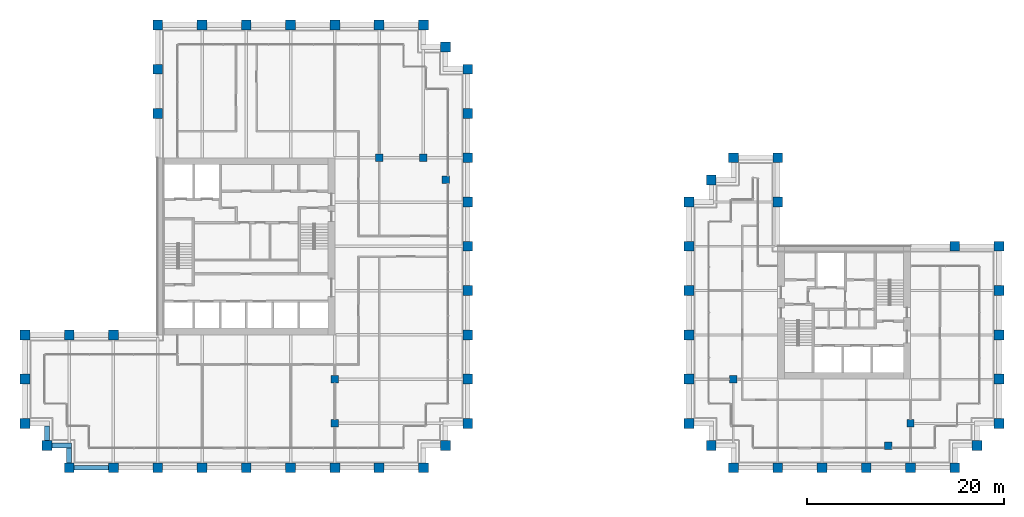
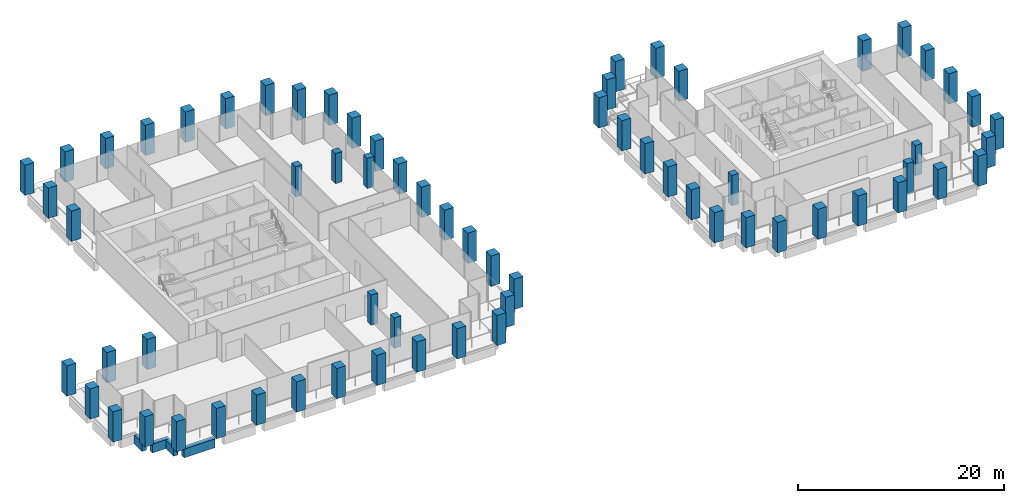
# One storey, part 1 of 45: 67 columns, 4 beams.
"""IFC4 building model written with IfcOpenShell, lengths in metres."""

from ifc_helpers import new_model, si_unit, direction, frame, origin, origin_2d, place, context, subcontext, project, spatial, rectangle, extrude, material, material_profile, profile_set, type_object, element, save


model = new_model("IFC4")

# Units and contexts
model_context = context("Model", 3, precision=1e-05, world=origin(), true_north=direction((0.0, 1.0)))
body_context = subcontext(model_context, "Body", "Model", "MODEL_VIEW")
ifc_project = project(units=[si_unit("LENGTHUNIT", "METRE"), si_unit("AREAUNIT", "SQUARE_METRE"), si_unit("VOLUMEUNIT", "CUBIC_METRE"), si_unit("PLANEANGLEUNIT", "RADIAN"), si_unit("MASSUNIT", "GRAM", prefix="KILO")], contexts=[model_context])

# Site, building, storey
site_placement = place(None, origin())
site = spatial("IfcSite", under=ifc_project, at=site_placement, CompositionType="ELEMENT")
building_placement = place(site_placement, origin())
building = spatial("IfcBuilding", under=site, at=building_placement, Name="Altepetl Exchange Towers", CompositionType="ELEMENT")
storey_placement = place(building_placement, frame((0.0, 0.0, 110.0)))
storey = spatial("IfcBuildingStorey", under=building, at=storey_placement, Name="L27", CompositionType="ELEMENT", Elevation=110.0)

# Columns
ifc_material_1 = material(Name="Concrete C70/85", Category="concrete")
ifc_material_profile_1 = material_profile(ifc_material_1, rectangle(XDim=0.75, YDim=0.75, at=origin_2d()), Name="750 x 750")
ifc_profile_set_1 = profile_set([ifc_material_profile_1], Name="Concrete C70/85")
column_type_1 = type_object("IfcColumnType", Name="Interior column 750", PredefinedType="COLUMN", material=ifc_profile_set_1)
for number, where, name in (
    (1, (58.5, 31.5, 0.0), "col:A:L27:035"),
    (2, (58.5, 36.0, 0.0), "col:A:L27:036"),
    (3, (63.0, 58.5, 0.0), "col:A:L27:037"),
    (4, (67.5, 58.5, 0.0), "col:A:L27:038"),
    (5, (69.75, 56.25, 0.0), "col:A:L27:039"),
    (6, (99.0, 36.0, 0.0), "col:B:L27:024"),
    (7, (114.75, 29.25, 0.0), "col:B:L27:025"),
    (8, (117.0, 31.5, 0.0), "col:B:L27:026"),
):
    element("IfcColumn", number, at=place(storey_placement, frame(where)), inside=storey, type_object=column_type_1, Name=name, PredefinedType="COLUMN", context=body_context, shape_type="SweptSolid", body=[
        extrude(rectangle(XDim=0.75, YDim=0.75, at=origin_2d()), origin(), (0.0, 0.0, 1.0), 3.60009765625),
    ])
ifc_material_2 = material(Name="Concrete C70/85 precast with cantera amarilla facing", Category="concrete")
ifc_material_profile_2 = material_profile(ifc_material_2, rectangle(XDim=1.0, YDim=1.0, at=origin_2d()), Name="1000 x 1000")
ifc_profile_set_2 = profile_set([ifc_material_profile_2], Name="Concrete C70/85 precast with cantera amarilla facing")
column_type_2 = type_object("IfcColumnType", Name="Perimeter column 1000 cantera amarilla", PredefinedType="COLUMN", material=ifc_profile_set_2)
for number, where, name in (
    (9, (58.5, 27.0, 0.0), "col:A:L27:006"),
    (10, (63.0, 27.0, 0.0), "col:A:L27:007"),
    (11, (67.5, 27.0, 0.0), "col:A:L27:008"),
    (12, (69.75, 29.25, 0.0), "col:A:L27:009"),
    (13, (72.0, 31.5, 0.0), "col:A:L27:010"),
    (14, (72.0, 36.0, 0.0), "col:A:L27:011"),
    (15, (72.0, 40.5, 0.0), "col:A:L27:012"),
    (16, (72.0, 45.0, 0.0), "col:A:L27:013"),
    (17, (72.0, 49.5, 0.0), "col:A:L27:014"),
    (18, (72.0, 54.0, 0.0), "col:A:L27:015"),
    (19, (126.0, 49.5, 0.0), "col:B:L27:011"),
    (20, (121.5, 49.5, 0.0), "col:B:L27:012"),
):
    element("IfcColumn", number, at=place(storey_placement, frame(where)), inside=storey, type_object=column_type_2, Name=name, PredefinedType="COLUMN", context=body_context, shape_type="SweptSolid", body=[
        extrude(rectangle(XDim=1.0, YDim=1.0, at=origin_2d()), origin(), (0.0, 0.0, 1.0), 3.60009765625),
    ])
ifc_material_3 = material(Name="Concrete C70/85 precast with cantera blanca facing", Category="concrete")
ifc_material_profile_3 = material_profile(ifc_material_3, rectangle(XDim=1.0, YDim=1.0, at=origin_2d()), Name="1000 x 1000")
ifc_profile_set_3 = profile_set([ifc_material_profile_3], Name="Concrete C70/85 precast with cantera blanca facing")
column_type_3 = type_object("IfcColumnType", Name="Perimeter column 1000 cantera blanca", PredefinedType="COLUMN", material=ifc_profile_set_3)
for number, where, name in (
    (21, (31.5, 27.0, 0.0), "col:A:L27:000"),
    (22, (36.0, 27.0, 0.0), "col:A:L27:001"),
    (23, (40.5, 27.0, 0.0), "col:A:L27:002"),
    (24, (45.0, 27.0, 0.0), "col:A:L27:003"),
    (25, (49.5, 27.0, 0.0), "col:A:L27:004"),
    (26, (54.0, 27.0, 0.0), "col:A:L27:005"),
    (27, (27.0, 36.0, 0.0), "col:A:L27:032"),
    (28, (27.0, 31.5, 0.0), "col:A:L27:033"),
    (29, (29.25, 29.25, 0.0), "col:A:L27:034"),
    (30, (117.0, 27.0, 0.0), "col:B:L27:004"),
    (31, (121.5, 27.0, 0.0), "col:B:L27:005"),
    (32, (123.75, 29.25, 0.0), "col:B:L27:006"),
    (33, (126.0, 31.5, 0.0), "col:B:L27:007"),
    (34, (126.0, 36.0, 0.0), "col:B:L27:008"),
    (35, (126.0, 40.5, 0.0), "col:B:L27:009"),
    (36, (126.0, 45.0, 0.0), "col:B:L27:010"),
):
    element("IfcColumn", number, at=place(storey_placement, frame(where)), inside=storey, type_object=column_type_3, Name=name, PredefinedType="COLUMN", context=body_context, shape_type="SweptSolid", body=[
        extrude(rectangle(XDim=1.0, YDim=1.0, at=origin_2d()), origin(), (0.0, 0.0, 1.0), 3.60009765625),
    ])
ifc_material_4 = material(Name="Concrete C70/85 precast with cantera rosa facing", Category="concrete")
ifc_material_profile_4 = material_profile(ifc_material_4, rectangle(XDim=1.0, YDim=1.0, at=origin_2d()), Name="1000 x 1000")
ifc_profile_set_4 = profile_set([ifc_material_profile_4], Name="Concrete C70/85 precast with cantera rosa facing")
column_type_4 = type_object("IfcColumnType", Name="Perimeter column 1000 cantera rosa", PredefinedType="COLUMN", material=ifc_profile_set_4)
for number, where, name in (
    (37, (72.0, 58.5, 0.0), "col:A:L27:016"),
    (38, (72.0, 63.0, 0.0), "col:A:L27:017"),
    (39, (72.0, 67.5, 0.0), "col:A:L27:018"),
    (40, (69.75, 69.75, 0.0), "col:A:L27:019"),
    (41, (67.5, 72.0, 0.0), "col:A:L27:020"),
    (42, (63.0, 72.0, 0.0), "col:A:L27:021"),
    (43, (58.5, 72.0, 0.0), "col:A:L27:022"),
    (44, (54.0, 72.0, 0.0), "col:A:L27:023"),
    (45, (49.5, 72.0, 0.0), "col:A:L27:024"),
    (46, (45.0, 72.0, 0.0), "col:A:L27:025"),
    (47, (103.5, 54.0, 0.0), "col:B:L27:013"),
    (48, (103.5, 58.5, 0.0), "col:B:L27:014"),
    (49, (99.0, 58.5, 0.0), "col:B:L27:015"),
    (50, (96.75, 56.25, 0.0), "col:B:L27:016"),
    (51, (94.5, 54.0, 0.0), "col:B:L27:017"),
    (52, (94.5, 49.5, 0.0), "col:B:L27:018"),
    (53, (94.5, 45.0, 0.0), "col:B:L27:019"),
    (54, (94.5, 40.5, 0.0), "col:B:L27:020"),
    (55, (94.5, 36.0, 0.0), "col:B:L27:021"),
):
    element("IfcColumn", number, at=place(storey_placement, frame(where)), inside=storey, type_object=column_type_4, Name=name, PredefinedType="COLUMN", context=body_context, shape_type="SweptSolid", body=[
        extrude(rectangle(XDim=1.0, YDim=1.0, at=origin_2d()), origin(), (0.0, 0.0, 1.0), 3.60009765625),
    ])
ifc_material_5 = material(Name="Concrete C70/85 precast with tezontle facing", Category="concrete")
ifc_material_profile_5 = material_profile(ifc_material_5, rectangle(XDim=1.0, YDim=1.0, at=origin_2d()), Name="1000 x 1000")
ifc_profile_set_5 = profile_set([ifc_material_profile_5], Name="Concrete C70/85 precast with tezontle facing")
column_type_5 = type_object("IfcColumnType", Name="Perimeter column 1000 tezontle", PredefinedType="COLUMN", material=ifc_profile_set_5)
for number, where, name in (
    (56, (40.5, 72.0, 0.0), "col:A:L27:026"),
    (57, (40.5, 67.5, 0.0), "col:A:L27:027"),
    (58, (40.5, 63.0, 0.0), "col:A:L27:028"),
    (59, (36.0, 40.5, 0.0), "col:A:L27:029"),
    (60, (31.5, 40.5, 0.0), "col:A:L27:030"),
    (61, (27.0, 40.5, 0.0), "col:A:L27:031"),
    (62, (99.0, 27.0, 0.0), "col:B:L27:000"),
    (63, (103.5, 27.0, 0.0), "col:B:L27:001"),
    (64, (108.0, 27.0, 0.0), "col:B:L27:002"),
    (65, (112.5, 27.0, 0.0), "col:B:L27:003"),
    (66, (94.5, 31.5, 0.0), "col:B:L27:022"),
    (67, (96.75, 29.25, 0.0), "col:B:L27:023"),
):
    element("IfcColumn", number, at=place(storey_placement, frame(where)), inside=storey, type_object=column_type_5, Name=name, PredefinedType="COLUMN", context=body_context, shape_type="SweptSolid", body=[
        extrude(rectangle(XDim=1.0, YDim=1.0, at=origin_2d()), origin(), (0.0, 0.0, 1.0), 3.60009765625),
    ])

# Beams
ifc_material_6 = material(Name="Concrete C50/60 precast with cantera blanca facing", Category="concrete")
ifc_material_profile_6 = material_profile(ifc_material_6, rectangle(XDim=0.5, YDim=1.050048828125, at=origin_2d()), Name="500 x 1050")
ifc_profile_set_6 = profile_set([ifc_material_profile_6], Name="Concrete C50/60 precast with cantera blanca facing")
beam_type = type_object("IfcBeamType", Name="Spandrel beam 500x1050 cantera blanca", PredefinedType="SPANDREL", material=ifc_profile_set_6)
beam_1_placement = place(storey_placement, frame((32.0, 27.0, -0.675048828125), z_axis=(1.0, 0.0, 0.0), x_axis=(0.0, 1.0, 0.0)))
element("IfcBeam", 68, at=beam_1_placement, inside=storey, type_object=beam_type, Name="sp:A:L27:000", PredefinedType="SPANDREL", context=body_context, shape_type="SweptSolid", body=[
    extrude(rectangle(XDim=0.5, YDim=1.050048828125, at=origin_2d()), origin(), (0.0, 0.0, 1.0), 3.5),
])
beam_2_placement = place(storey_placement, frame((29.25, 31.25, -0.675048828125), z_axis=(0.0, -1.0, 0.0), x_axis=(1.0, 0.0, 0.0)))
element("IfcBeam", 69, at=beam_2_placement, inside=storey, type_object=beam_type, Name="sp:A:L27:039", PredefinedType="SPANDREL", context=body_context, shape_type="SweptSolid", body=[
    extrude(rectangle(XDim=0.5, YDim=1.050048828125, at=origin_2d()), origin(), (0.0, 0.0, 1.0), 1.5),
])
beam_3_placement = place(storey_placement, frame((29.75, 29.25, -0.675048828125), z_axis=(1.0, 0.0, 0.0), x_axis=(0.0, 1.0, 0.0)))
element("IfcBeam", 70, at=beam_3_placement, inside=storey, type_object=beam_type, Name="sp:A:L27:040", PredefinedType="SPANDREL", context=body_context, shape_type="SweptSolid", body=[
    extrude(rectangle(XDim=0.5, YDim=1.050048828125, at=origin_2d()), origin(), (0.0, 0.0, 1.0), 2.0),
])
beam_4_placement = place(storey_placement, frame((31.5, 29.0, -0.675048828125), z_axis=(0.0, -1.0, 0.0), x_axis=(1.0, 0.0, 0.0)))
element("IfcBeam", 71, at=beam_4_placement, inside=storey, type_object=beam_type, Name="sp:A:L27:041", PredefinedType="SPANDREL", context=body_context, shape_type="SweptSolid", body=[
    extrude(rectangle(XDim=0.5, YDim=1.050048828125, at=origin_2d()), origin(), (0.0, 0.0, 1.0), 1.5),
])

save(model, "model.ifc")
